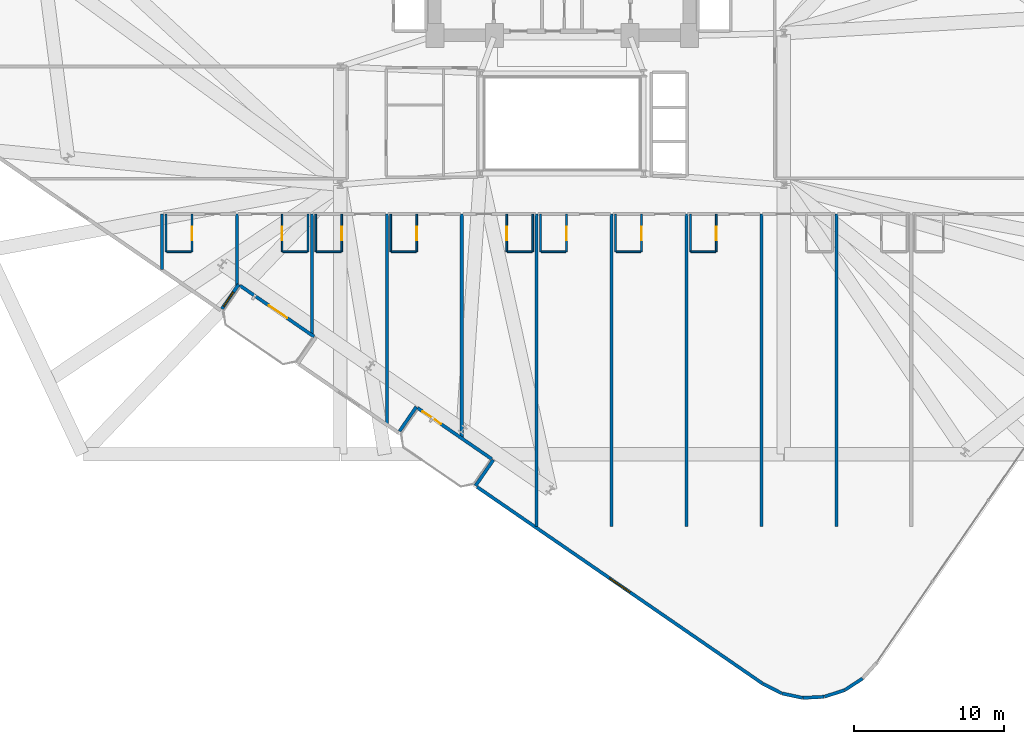
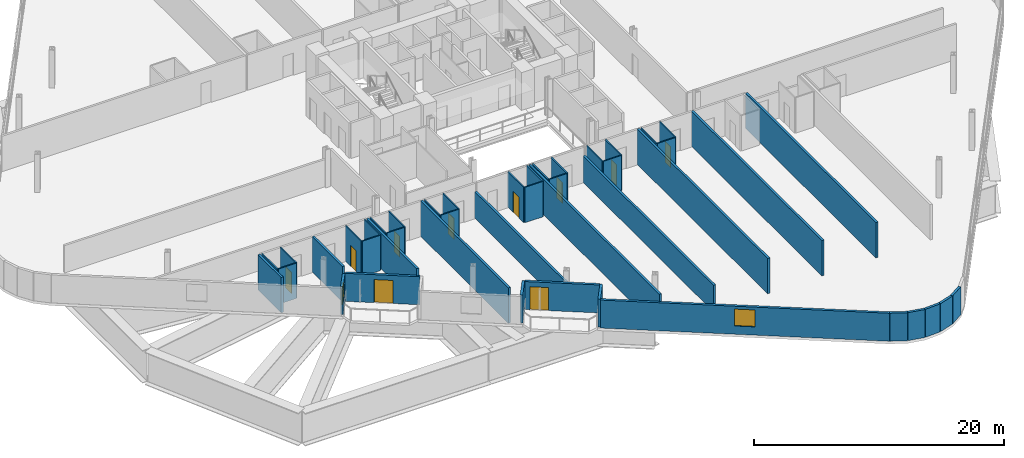
# One storey, part 18 of 26: 45 walls, 10 doors, 2 windows, 12 openings.
"""IFC4 building model written with IfcOpenShell, lengths in metres."""

from ifc_helpers import new_model, si_unit, direction, frame, frame_2d, origin, place, context, subcontext, project, spatial, rectangle, extrude, material, layer, layer_set, type_object, element, fill, save


model = new_model("IFC4")

# Units and contexts
model_context = context("Model", 3, precision=1e-05, world=origin(), true_north=direction((0.0, 1.0)))
body_context = subcontext(model_context, "Body", "Model", "MODEL_VIEW")
ifc_project = project(units=[si_unit("LENGTHUNIT", "METRE"), si_unit("AREAUNIT", "SQUARE_METRE"), si_unit("VOLUMEUNIT", "CUBIC_METRE"), si_unit("PLANEANGLEUNIT", "RADIAN"), si_unit("MASSUNIT", "GRAM", prefix="KILO")], contexts=[model_context])

# Site, building, storey
site_placement = place(None, origin())
site = spatial("IfcSite", under=ifc_project, at=site_placement, CompositionType="ELEMENT")
building_placement = place(site_placement, origin())
building = spatial("IfcBuilding", under=site, at=building_placement, Name="Varnelok Gate Tower", CompositionType="ELEMENT")
storey_placement = place(building_placement, frame((0.0, 0.0, 27.0)))
storey = spatial("IfcBuildingStorey", under=building, at=storey_placement, Name="L05", CompositionType="ELEMENT", Elevation=27.0)

# Wall, opening, door
ifc_material_1 = material(Name="Concrete C45/55", Category="concrete")
ifc_layer_1 = layer(ifc_material_1, 0.219970703125)
ifc_layer_set_1 = layer_set([ifc_layer_1], Name="Concrete C45/55")
wall_type_1 = type_object("IfcWallType", Name="EW-BALC-220", PredefinedType="SOLIDWALL", material=ifc_layer_set_1)
wall_1_placement = place(storey_placement, frame((22.642822265625, 8.667236328125, 0.0), z_axis=(0.0, 0.0, 1.0), x_axis=(-0.823534636215, 0.567265989598, 0.0)))
wall_1 = element("IfcWall", 1, at=wall_1_placement, inside=storey, type_object=wall_type_1, Name="L05 South Terrace Envelope Wall 1", PredefinedType="SOLIDWALL", context=body_context, shape_type="SweptSolid", body=[
    extrude(rectangle(XDim=6.0, YDim=0.219970703125, at=frame_2d((3.0, 0.0))), origin(), (0.0, 0.0, 1.0), 2.72998046875),
])
opening_1_placement = place(wall_1_placement, frame((2.176025390625, 0.0, 0.0)))
opening_1 = element("IfcOpeningElement", 2, at=opening_1_placement, cuts=wall_1, Name="Opening BD-1", PredefinedType="OPENING", context=body_context, shape_type="SweptSolid", body=[
    extrude(rectangle(XDim=1.5, YDim=2.25, at=frame_2d((0.75, 1.125))), frame((0.0, 0.119873046875, 0.0), z_axis=(0.0, -1.0, 0.0), x_axis=(1.0, 0.0, 0.0)), (0.0, 0.0, 1.0), 0.239990234375),
])
ifc_material_2 = material(Name="Anodized Aluminum Alloy 6063-T6", Category="aluminium")
door_type_1 = type_object("IfcDoorType", Name="DR-EXT-BALC1500", OperationType="NOTDEFINED", PredefinedType="DOOR", material=ifc_material_2)
door_1_placement = place(opening_1_placement, origin())
door_1 = element("IfcDoor", 3, at=door_1_placement, inside=storey, type_object=door_type_1, Name="L05 South Balcony Glazed Door 1", OperationType="SINGLE_SWING_RIGHT", OverallHeight=2.25, OverallWidth=1.5, PredefinedType="DOOR", context=body_context, shape_type="SweptSolid", body=[
    extrude(rectangle(XDim=1.5, YDim=2.25, at=frame_2d((0.75, 1.125))), frame((0.0, 0.02490234375, 0.0), z_axis=(0.0, -1.0, 0.0), x_axis=(1.0, 0.0, 0.0)), (0.0, 0.0, 1.0), 0.050048828125),
])
fill(opening_1, door_1)

wall_2_placement = place(storey_placement, frame((34.501708984375, 0.49853515625, 0.0), z_axis=(0.0, 0.0, 1.0), x_axis=(-0.823534636215, 0.567265989598, 0.0)))
wall_2 = element("IfcWall", 4, at=wall_2_placement, inside=storey, type_object=wall_type_1, Name="L05 South Terrace Envelope Wall 2", PredefinedType="SOLIDWALL", context=body_context, shape_type="SweptSolid", body=[
    extrude(rectangle(XDim=6.0, YDim=0.219970703125, at=frame_2d((3.0, 0.0))), origin(), (0.0, 0.0, 1.0), 2.72998046875),
])
opening_2_placement = place(wall_2_placement, frame((4.10009765625, 0.0, 0.0)))
opening_2 = element("IfcOpeningElement", 5, at=opening_2_placement, cuts=wall_2, Name="Opening BD-1", PredefinedType="OPENING", context=body_context, shape_type="SweptSolid", body=[
    extrude(rectangle(XDim=1.5, YDim=2.25, at=frame_2d((0.75, 1.125))), frame((0.0, 0.119873046875, 0.0), z_axis=(0.0, -1.0, 0.0), x_axis=(1.0, 0.0, 0.0)), (0.0, 0.0, 1.0), 0.239990234375),
])
door_2_placement = place(opening_2_placement, origin())
door_2 = element("IfcDoor", 6, at=door_2_placement, inside=storey, type_object=door_type_1, Name="L05 South Balcony Glazed Door 2", OperationType="SINGLE_SWING_LEFT", OverallHeight=2.25, OverallWidth=1.5, PredefinedType="DOOR", context=body_context, shape_type="SweptSolid", body=[
    extrude(rectangle(XDim=1.5, YDim=2.25, at=frame_2d((0.75, 1.125))), frame((0.0, 0.02490234375, 0.0), z_axis=(0.0, -1.0, 0.0), x_axis=(1.0, 0.0, 0.0)), (0.0, 0.0, 1.0), 0.050048828125),
])
fill(opening_2, door_2)

# Wall, opening, window
wall_3_placement = place(storey_placement, frame((16.48828125, 10.5205078125, 0.0), z_axis=(0.0, 0.0, 1.0), x_axis=(0.567131976434, 0.823626930902, 0.0)))
wall_3 = element("IfcWall", 7, at=wall_3_placement, inside=storey, type_object=wall_type_1, Name="L05 Perimeter Facade Closure Wall 8", PredefinedType="SOLIDWALL", context=body_context, shape_type="SweptSolid", body=[
    extrude(rectangle(XDim=1.97509765625, YDim=0.219970703125, at=frame_2d((0.987548828125, 0.0))), origin(), (0.0, 0.0, 1.0), 2.72998046875),
])
opening_3_placement = place(wall_3_placement, frame((0.199951171875, 0.0, 0.800048828125)))
opening_3 = element("IfcOpeningElement", 8, at=opening_3_placement, cuts=wall_3, Name="Opening WN8", PredefinedType="OPENING", context=body_context, shape_type="SweptSolid", body=[
    extrude(rectangle(XDim=1.14990234375, YDim=1.39990234375, at=frame_2d((0.574951171875, 0.699951171875))), frame((0.0, 0.119873046875, 0.0), z_axis=(0.0, -1.0, 0.0), x_axis=(1.0, 0.0, 0.0)), (0.0, 0.0, 1.0), 0.239990234375),
])
ifc_material_3 = material(Name="Low-E Laminated Double Glazing IGU", Category="glass")
window_type_1 = type_object("IfcWindowType", Name="WN-BED-1150", PartitioningType="SINGLE_PANEL", PredefinedType="WINDOW", material=ifc_material_3)
window_1_placement = place(opening_3_placement, origin())
window_1 = element("IfcWindow", 9, at=window_1_placement, inside=storey, type_object=window_type_1, Name="L05 Bedroom Vision Window 1", OverallHeight=1.39990234375, OverallWidth=1.14990234375, PartitioningType="SINGLE_PANEL", PredefinedType="WINDOW", context=body_context, shape_type="SweptSolid", body=[
    extrude(rectangle(XDim=1.14990234375, YDim=1.39990234375, at=frame_2d((0.574951171875, 0.699951171875))), frame((0.0, 0.030029296875, 0.0), z_axis=(0.0, -1.0, 0.0), x_axis=(1.0, 0.0, 0.0)), (0.0, 0.0, 1.0), 0.06005859375),
])
fill(opening_3, window_1)

# Walls
wall_4_placement = place(storey_placement, frame((28.34716796875, 2.351806640625, 0.0), z_axis=(0.0, 0.0, 1.0), x_axis=(0.567215821234, 0.823569190865, 0.0)))
element("IfcWall", 10, at=wall_4_placement, inside=storey, type_object=wall_type_1, Name="L05 Perimeter Facade Closure Wall 11", PredefinedType="SOLIDWALL", context=body_context, shape_type="SweptSolid", body=[
    extrude(rectangle(XDim=1.97509765625, YDim=0.219970703125, at=frame_2d((0.987548828125, 0.0))), origin(), (0.0, 0.0, 1.0), 2.72998046875),
])
wall_5_placement = place(storey_placement, frame((34.606201171875, 0.438720703125, 0.0), z_axis=(0.0, 0.0, 1.0), x_axis=(-0.567219383419, -0.823566737474, 0.0)))
element("IfcWall", 11, at=wall_5_placement, inside=storey, type_object=wall_type_1, Name="L05 Perimeter Facade Closure Wall 12", PredefinedType="SOLIDWALL", context=body_context, shape_type="SweptSolid", body=[
    extrude(rectangle(XDim=2.10009765625, YDim=0.219970703125, at=frame_2d((1.050048828125, 0.0))), origin(), (0.0, 0.0, 1.0), 2.72998046875),
])

# Wall, opening, window
wall_6_placement = place(storey_placement, frame((33.517822265625, -1.36181640625, 0.0), z_axis=(0.0, 0.0, 1.0), x_axis=(0.82353935489, -0.567259139148, 0.0)))
wall_6 = element("IfcWall", 12, at=wall_6_placement, inside=storey, type_object=wall_type_1, Name="L05 Perimeter Facade Closure Wall 13", PredefinedType="SOLIDWALL", context=body_context, shape_type="SweptSolid", body=[
    extrude(rectangle(XDim=23.14697265625, YDim=0.219970703125, at=frame_2d((11.573486328125, 0.0))), origin(), (0.0, 0.0, 1.0), 2.72998046875),
])
opening_4_placement = place(wall_6_placement, frame((10.74853515625, 0.0, 0.800048828125)))
opening_4 = element("IfcOpeningElement", 13, at=opening_4_placement, cuts=wall_6, Name="Opening WN3", PredefinedType="OPENING", context=body_context, shape_type="SweptSolid", body=[
    extrude(rectangle(XDim=1.64990234375, YDim=1.64990234375, at=frame_2d((0.824951171875, 0.824951171875))), frame((0.0, 0.119873046875, 0.0), z_axis=(0.0, -1.0, 0.0), x_axis=(1.0, 0.0, 0.0)), (0.0, 0.0, 1.0), 0.239990234375),
])
window_type_2 = type_object("IfcWindowType", Name="WN-HTL-1650", PartitioningType="SINGLE_PANEL", PredefinedType="WINDOW", material=ifc_material_3)
window_2_placement = place(opening_4_placement, origin())
window_2 = element("IfcWindow", 14, at=window_2_placement, inside=storey, type_object=window_type_2, Name="L05 Perimeter Vision Window 13", OverallHeight=1.64990234375, OverallWidth=1.64990234375, PartitioningType="SINGLE_PANEL", PredefinedType="WINDOW", context=body_context, shape_type="SweptSolid", body=[
    extrude(rectangle(XDim=1.64990234375, YDim=1.64990234375, at=frame_2d((0.824951171875, 0.824951171875))), frame((0.0, 0.030029296875, 0.0), z_axis=(0.0, -1.0, 0.0), x_axis=(1.0, 0.0, 0.0)), (0.0, 0.0, 1.0), 0.06005859375),
])
fill(opening_4, window_2)

# Walls
wall_7_placement = place(storey_placement, frame((52.602783203125, -14.503662109375, 0.0), z_axis=(0.0, 0.0, 1.0), x_axis=(0.89052335693, -0.45493752402, 0.0)))
element("IfcWall", 15, at=wall_7_placement, inside=storey, type_object=wall_type_1, Name="L05 Perimeter Facade Closure Wall 14", PredefinedType="SOLIDWALL", context=body_context, shape_type="SweptSolid", body=[
    extrude(rectangle(XDim=1.4130859375, YDim=0.219970703125, at=frame_2d((0.70654296875, 0.0))), origin(), (0.0, 0.0, 1.0), 2.72998046875),
])
for number, where, z_axis, x_axis, name in (
    (16, (53.8857421875, -15.15185546875, 0.0), (0.0, 0.0, 1.0), (0.977952168511, -0.208829011645, 0.0), "L05 Perimeter Facade Closure Wall 15"),
    (17, (55.284912109375, -15.444091796875, 0.0), (0.0, 0.0, 1.0), (0.998685611917, 0.051254741739, 0.0), "L05 Perimeter Facade Closure Wall 16"),
    (18, (56.712158203125, -15.364501953125, 0.0), (0.0, 0.0, 1.0), (0.95132472924, 0.308190297603, 0.0), "L05 Perimeter Facade Closure Wall 17"),
    (19, (58.070068359375, -14.91796875, 0.0), (0.0, 0.0, 1.0), (0.839248413468, 0.543748195851, 0.0), "L05 Perimeter Facade Closure Wall 18"),
):
    element("IfcWall", number, at=place(storey_placement, frame(where, z_axis=z_axis, x_axis=x_axis)), inside=storey, type_object=wall_type_1, Name=name, PredefinedType="SOLIDWALL", context=body_context, shape_type="SweptSolid", body=[
        extrude(rectangle(XDim=1.4052734375, YDim=0.219970703125, at=frame_2d((0.70263671875, 0.0))), origin(), (0.0, 0.0, 1.0), 2.72998046875),
    ])
ifc_material_4 = material(Name="Gypsum Plasterboard Acoustic Partition", Category="gypsum")
ifc_layer_2 = layer(ifc_material_4, 0.114990234375)
ifc_layer_set_2 = layer_set([ifc_layer_2], Name="Gypsum Plasterboard Acoustic Partition")
wall_type_2 = type_object("IfcWallType", Name="PW-ENS-125", PredefinedType="PARTITIONING", material=ifc_layer_set_2)
wall_8_placement = place(storey_placement, frame((12.800048828125, 14.330078125, 0.0), z_axis=(0.0, 0.0, 1.0), x_axis=(1.0, 0.0, 0.0)))
element("IfcWall", 20, at=wall_8_placement, inside=storey, type_object=wall_type_2, Name="Interior Partition", PredefinedType="PARTITIONING", context=body_context, shape_type="SweptSolid", body=[
    extrude(rectangle(XDim=1.64990234375, YDim=0.114990234375, at=frame_2d((0.824951171875, 0.0))), origin(), (0.0, 0.0, 1.0), 3.449951171875),
])

# Wall, opening, door
wall_9_placement = place(storey_placement, frame((14.489990234375, 14.330078125, 0.0), z_axis=(0.0, 0.0, 1.0), x_axis=(0.0, 1.0, 0.0)))
wall_9 = element("IfcWall", 21, at=wall_9_placement, inside=storey, type_object=wall_type_2, Name="Interior Partition", PredefinedType="PARTITIONING", context=body_context, shape_type="SweptSolid", body=[
    extrude(rectangle(XDim=2.52001953125, YDim=0.114990234375, at=frame_2d((1.260009765625, 0.0))), origin(), (0.0, 0.0, 1.0), 3.449951171875),
])
opening_5_placement = place(wall_9_placement, frame((0.760009765625, 0.0, 0.0)))
opening_5 = element("IfcOpeningElement", 22, at=opening_5_placement, cuts=wall_9, Name="Opening D-WC", PredefinedType="OPENING", context=body_context, shape_type="SweptSolid", body=[
    extrude(rectangle(XDim=0.89990234375, YDim=2.050048828125, at=frame_2d((0.449951171875, 1.02490234375))), frame((0.0, 0.0673828125, 0.0), z_axis=(0.0, -1.0, 0.0), x_axis=(1.0, 0.0, 0.0)), (0.0, 0.0, 1.0), 0.135009765625),
])
ifc_material_5 = material(Name="Engineered Hardwood Timber", Category="wood")
door_type_2 = type_object("IfcDoorType", Name="DR-BATH-900", OperationType="NOTDEFINED", PredefinedType="DOOR", material=ifc_material_5)
door_3_placement = place(opening_5_placement, origin())
door_3 = element("IfcDoor", 23, at=door_3_placement, inside=storey, type_object=door_type_2, Name="L05 Guest En-Suite 02 Door", OperationType="SINGLE_SWING_LEFT", OverallHeight=2.050048828125, OverallWidth=0.89990234375, PredefinedType="DOOR", context=body_context, shape_type="SweptSolid", body=[
    extrude(rectangle(XDim=0.89990234375, YDim=2.050048828125, at=frame_2d((0.449951171875, 1.02490234375))), frame((0.0, 0.02490234375, 0.0), z_axis=(0.0, -1.0, 0.0), x_axis=(1.0, 0.0, 0.0)), (0.0, 0.0, 1.0), 0.050048828125),
])
fill(opening_5, door_3)

# Walls
wall_10_placement = place(storey_placement, frame((12.760009765625, 14.330078125, 0.0), z_axis=(0.0, 0.0, 1.0), x_axis=(0.0, 1.0, 0.0)))
element("IfcWall", 24, at=wall_10_placement, inside=storey, type_object=wall_type_2, Name="Interior Partition", PredefinedType="PARTITIONING", context=body_context, shape_type="SweptSolid", body=[
    extrude(rectangle(XDim=2.52001953125, YDim=0.114990234375, at=frame_2d((1.260009765625, 0.0))), origin(), (0.0, 0.0, 1.0), 3.449951171875),
])
wall_11_placement = place(storey_placement, frame((20.550048828125, 14.330078125, 0.0), z_axis=(0.0, 0.0, 1.0), x_axis=(1.0, 0.0, 0.0)))
element("IfcWall", 25, at=wall_11_placement, inside=storey, type_object=wall_type_2, Name="Interior Partition", PredefinedType="PARTITIONING", context=body_context, shape_type="SweptSolid", body=[
    extrude(rectangle(XDim=1.64990234375, YDim=0.114990234375, at=frame_2d((0.824951171875, 0.0))), origin(), (0.0, 0.0, 1.0), 3.449951171875),
])

# Wall, opening, door
wall_12_placement = place(storey_placement, frame((20.510009765625, 14.330078125, 0.0), z_axis=(0.0, 0.0, 1.0), x_axis=(0.0, 1.0, 0.0)))
wall_12 = element("IfcWall", 26, at=wall_12_placement, inside=storey, type_object=wall_type_2, Name="Interior Partition", PredefinedType="PARTITIONING", context=body_context, shape_type="SweptSolid", body=[
    extrude(rectangle(XDim=2.52001953125, YDim=0.114990234375, at=frame_2d((1.260009765625, 0.0))), origin(), (0.0, 0.0, 1.0), 3.449951171875),
])
opening_6_placement = place(wall_12_placement, frame((0.760009765625, 0.0, 0.0)))
opening_6 = element("IfcOpeningElement", 27, at=opening_6_placement, cuts=wall_12, Name="Opening D-WC", PredefinedType="OPENING", context=body_context, shape_type="SweptSolid", body=[
    extrude(rectangle(XDim=0.89990234375, YDim=2.050048828125, at=frame_2d((0.449951171875, 1.02490234375))), frame((0.0, 0.0673828125, 0.0), z_axis=(0.0, -1.0, 0.0), x_axis=(1.0, 0.0, 0.0)), (0.0, 0.0, 1.0), 0.135009765625),
])
door_4_placement = place(opening_6_placement, origin())
door_4 = element("IfcDoor", 28, at=door_4_placement, inside=storey, type_object=door_type_2, Name="L05 Guest En-Suite 03 Door", OperationType="SINGLE_SWING_RIGHT", OverallHeight=2.050048828125, OverallWidth=0.89990234375, PredefinedType="DOOR", context=body_context, shape_type="SweptSolid", body=[
    extrude(rectangle(XDim=0.89990234375, YDim=2.050048828125, at=frame_2d((0.449951171875, 1.02490234375))), frame((0.0, 0.02490234375, 0.0), z_axis=(0.0, -1.0, 0.0), x_axis=(1.0, 0.0, 0.0)), (0.0, 0.0, 1.0), 0.050048828125),
])
fill(opening_6, door_4)

# Walls
wall_13_placement = place(storey_placement, frame((22.239990234375, 14.330078125, 0.0), z_axis=(0.0, 0.0, 1.0), x_axis=(0.0, 1.0, 0.0)))
element("IfcWall", 29, at=wall_13_placement, inside=storey, type_object=wall_type_2, Name="Interior Partition", PredefinedType="PARTITIONING", context=body_context, shape_type="SweptSolid", body=[
    extrude(rectangle(XDim=2.52001953125, YDim=0.114990234375, at=frame_2d((1.260009765625, 0.0))), origin(), (0.0, 0.0, 1.0), 3.449951171875),
])
wall_14_placement = place(storey_placement, frame((22.800048828125, 14.330078125, 0.0), z_axis=(0.0, 0.0, 1.0), x_axis=(1.0, 0.0, 0.0)))
element("IfcWall", 30, at=wall_14_placement, inside=storey, type_object=wall_type_2, Name="Interior Partition", PredefinedType="PARTITIONING", context=body_context, shape_type="SweptSolid", body=[
    extrude(rectangle(XDim=1.64990234375, YDim=0.114990234375, at=frame_2d((0.824951171875, 0.0))), origin(), (0.0, 0.0, 1.0), 3.449951171875),
])

# Wall, opening, door
wall_15_placement = place(storey_placement, frame((24.489990234375, 14.330078125, 0.0), z_axis=(0.0, 0.0, 1.0), x_axis=(0.0, 1.0, 0.0)))
wall_15 = element("IfcWall", 31, at=wall_15_placement, inside=storey, type_object=wall_type_2, Name="Interior Partition", PredefinedType="PARTITIONING", context=body_context, shape_type="SweptSolid", body=[
    extrude(rectangle(XDim=2.52001953125, YDim=0.114990234375, at=frame_2d((1.260009765625, 0.0))), origin(), (0.0, 0.0, 1.0), 3.449951171875),
])
opening_7_placement = place(wall_15_placement, frame((0.760009765625, 0.0, 0.0)))
opening_7 = element("IfcOpeningElement", 32, at=opening_7_placement, cuts=wall_15, Name="Opening D-WC", PredefinedType="OPENING", context=body_context, shape_type="SweptSolid", body=[
    extrude(rectangle(XDim=0.89990234375, YDim=2.050048828125, at=frame_2d((0.449951171875, 1.02490234375))), frame((0.0, 0.0673828125, 0.0), z_axis=(0.0, -1.0, 0.0), x_axis=(1.0, 0.0, 0.0)), (0.0, 0.0, 1.0), 0.135009765625),
])
door_5_placement = place(opening_7_placement, origin())
door_5 = element("IfcDoor", 33, at=door_5_placement, inside=storey, type_object=door_type_2, Name="L05 Guest En-Suite 04 Door", OperationType="SINGLE_SWING_LEFT", OverallHeight=2.050048828125, OverallWidth=0.89990234375, PredefinedType="DOOR", context=body_context, shape_type="SweptSolid", body=[
    extrude(rectangle(XDim=0.89990234375, YDim=2.050048828125, at=frame_2d((0.449951171875, 1.02490234375))), frame((0.0, 0.02490234375, 0.0), z_axis=(0.0, -1.0, 0.0), x_axis=(1.0, 0.0, 0.0)), (0.0, 0.0, 1.0), 0.050048828125),
])
fill(opening_7, door_5)

# Walls
wall_16_placement = place(storey_placement, frame((22.760009765625, 14.330078125, 0.0), z_axis=(0.0, 0.0, 1.0), x_axis=(0.0, 1.0, 0.0)))
element("IfcWall", 34, at=wall_16_placement, inside=storey, type_object=wall_type_2, Name="Interior Partition", PredefinedType="PARTITIONING", context=body_context, shape_type="SweptSolid", body=[
    extrude(rectangle(XDim=2.52001953125, YDim=0.114990234375, at=frame_2d((1.260009765625, 0.0))), origin(), (0.0, 0.0, 1.0), 3.449951171875),
])
wall_17_placement = place(storey_placement, frame((27.800048828125, 14.330078125, 0.0), z_axis=(0.0, 0.0, 1.0), x_axis=(1.0, 0.0, 0.0)))
element("IfcWall", 35, at=wall_17_placement, inside=storey, type_object=wall_type_2, Name="Interior Partition", PredefinedType="PARTITIONING", context=body_context, shape_type="SweptSolid", body=[
    extrude(rectangle(XDim=1.64990234375, YDim=0.114990234375, at=frame_2d((0.824951171875, 0.0))), origin(), (0.0, 0.0, 1.0), 3.449951171875),
])

# Wall, opening, door
wall_18_placement = place(storey_placement, frame((29.489990234375, 14.330078125, 0.0), z_axis=(0.0, 0.0, 1.0), x_axis=(0.0, 1.0, 0.0)))
wall_18 = element("IfcWall", 36, at=wall_18_placement, inside=storey, type_object=wall_type_2, Name="Interior Partition", PredefinedType="PARTITIONING", context=body_context, shape_type="SweptSolid", body=[
    extrude(rectangle(XDim=2.52001953125, YDim=0.114990234375, at=frame_2d((1.260009765625, 0.0))), origin(), (0.0, 0.0, 1.0), 3.449951171875),
])
opening_8_placement = place(wall_18_placement, frame((0.760009765625, 0.0, 0.0)))
opening_8 = element("IfcOpeningElement", 37, at=opening_8_placement, cuts=wall_18, Name="Opening D-WC", PredefinedType="OPENING", context=body_context, shape_type="SweptSolid", body=[
    extrude(rectangle(XDim=0.89990234375, YDim=2.050048828125, at=frame_2d((0.449951171875, 1.02490234375))), frame((0.0, 0.0673828125, 0.0), z_axis=(0.0, -1.0, 0.0), x_axis=(1.0, 0.0, 0.0)), (0.0, 0.0, 1.0), 0.135009765625),
])
door_6_placement = place(opening_8_placement, origin())
door_6 = element("IfcDoor", 38, at=door_6_placement, inside=storey, type_object=door_type_2, Name="L05 Guest En-Suite 05 Door", OperationType="SINGLE_SWING_LEFT", OverallHeight=2.050048828125, OverallWidth=0.89990234375, PredefinedType="DOOR", context=body_context, shape_type="SweptSolid", body=[
    extrude(rectangle(XDim=0.89990234375, YDim=2.050048828125, at=frame_2d((0.449951171875, 1.02490234375))), frame((0.0, 0.02490234375, 0.0), z_axis=(0.0, -1.0, 0.0), x_axis=(1.0, 0.0, 0.0)), (0.0, 0.0, 1.0), 0.050048828125),
])
fill(opening_8, door_6)

# Walls
wall_19_placement = place(storey_placement, frame((27.760009765625, 14.330078125, 0.0), z_axis=(0.0, 0.0, 1.0), x_axis=(0.0, 1.0, 0.0)))
element("IfcWall", 39, at=wall_19_placement, inside=storey, type_object=wall_type_2, Name="Interior Partition", PredefinedType="PARTITIONING", context=body_context, shape_type="SweptSolid", body=[
    extrude(rectangle(XDim=2.52001953125, YDim=0.114990234375, at=frame_2d((1.260009765625, 0.0))), origin(), (0.0, 0.0, 1.0), 3.449951171875),
])
wall_20_placement = place(storey_placement, frame((35.550048828125, 14.330078125, 0.0), z_axis=(0.0, 0.0, 1.0), x_axis=(1.0, 0.0, 0.0)))
element("IfcWall", 40, at=wall_20_placement, inside=storey, type_object=wall_type_2, Name="Interior Partition", PredefinedType="PARTITIONING", context=body_context, shape_type="SweptSolid", body=[
    extrude(rectangle(XDim=1.64990234375, YDim=0.114990234375, at=frame_2d((0.824951171875, 0.0))), origin(), (0.0, 0.0, 1.0), 3.449951171875),
])

# Wall, opening, door
wall_21_placement = place(storey_placement, frame((35.510009765625, 14.330078125, 0.0), z_axis=(0.0, 0.0, 1.0), x_axis=(0.0, 1.0, 0.0)))
wall_21 = element("IfcWall", 41, at=wall_21_placement, inside=storey, type_object=wall_type_2, Name="Interior Partition", PredefinedType="PARTITIONING", context=body_context, shape_type="SweptSolid", body=[
    extrude(rectangle(XDim=2.52001953125, YDim=0.114990234375, at=frame_2d((1.260009765625, 0.0))), origin(), (0.0, 0.0, 1.0), 3.449951171875),
])
opening_9_placement = place(wall_21_placement, frame((0.760009765625, 0.0, 0.0)))
opening_9 = element("IfcOpeningElement", 42, at=opening_9_placement, cuts=wall_21, Name="Opening D-WC", PredefinedType="OPENING", context=body_context, shape_type="SweptSolid", body=[
    extrude(rectangle(XDim=0.89990234375, YDim=2.050048828125, at=frame_2d((0.449951171875, 1.02490234375))), frame((0.0, 0.0673828125, 0.0), z_axis=(0.0, -1.0, 0.0), x_axis=(1.0, 0.0, 0.0)), (0.0, 0.0, 1.0), 0.135009765625),
])
door_7_placement = place(opening_9_placement, origin())
door_7 = element("IfcDoor", 43, at=door_7_placement, inside=storey, type_object=door_type_2, Name="L05 Guest En-Suite 06 Door", OperationType="SINGLE_SWING_RIGHT", OverallHeight=2.050048828125, OverallWidth=0.89990234375, PredefinedType="DOOR", context=body_context, shape_type="SweptSolid", body=[
    extrude(rectangle(XDim=0.89990234375, YDim=2.050048828125, at=frame_2d((0.449951171875, 1.02490234375))), frame((0.0, 0.02490234375, 0.0), z_axis=(0.0, -1.0, 0.0), x_axis=(1.0, 0.0, 0.0)), (0.0, 0.0, 1.0), 0.050048828125),
])
fill(opening_9, door_7)

# Walls
wall_22_placement = place(storey_placement, frame((37.239990234375, 14.330078125, 0.0), z_axis=(0.0, 0.0, 1.0), x_axis=(0.0, 1.0, 0.0)))
element("IfcWall", 44, at=wall_22_placement, inside=storey, type_object=wall_type_2, Name="Interior Partition", PredefinedType="PARTITIONING", context=body_context, shape_type="SweptSolid", body=[
    extrude(rectangle(XDim=2.52001953125, YDim=0.114990234375, at=frame_2d((1.260009765625, 0.0))), origin(), (0.0, 0.0, 1.0), 3.449951171875),
])
wall_23_placement = place(storey_placement, frame((37.800048828125, 14.330078125, 0.0), z_axis=(0.0, 0.0, 1.0), x_axis=(1.0, 0.0, 0.0)))
element("IfcWall", 45, at=wall_23_placement, inside=storey, type_object=wall_type_2, Name="Interior Partition", PredefinedType="PARTITIONING", context=body_context, shape_type="SweptSolid", body=[
    extrude(rectangle(XDim=1.64990234375, YDim=0.114990234375, at=frame_2d((0.824951171875, 0.0))), origin(), (0.0, 0.0, 1.0), 3.449951171875),
])

# Wall, opening, door
wall_24_placement = place(storey_placement, frame((39.489990234375, 14.330078125, 0.0), z_axis=(0.0, 0.0, 1.0), x_axis=(0.0, 1.0, 0.0)))
wall_24 = element("IfcWall", 46, at=wall_24_placement, inside=storey, type_object=wall_type_2, Name="Interior Partition", PredefinedType="PARTITIONING", context=body_context, shape_type="SweptSolid", body=[
    extrude(rectangle(XDim=2.52001953125, YDim=0.114990234375, at=frame_2d((1.260009765625, 0.0))), origin(), (0.0, 0.0, 1.0), 3.449951171875),
])
opening_10_placement = place(wall_24_placement, frame((0.760009765625, 0.0, 0.0)))
opening_10 = element("IfcOpeningElement", 47, at=opening_10_placement, cuts=wall_24, Name="Opening D-WC", PredefinedType="OPENING", context=body_context, shape_type="SweptSolid", body=[
    extrude(rectangle(XDim=0.89990234375, YDim=2.050048828125, at=frame_2d((0.449951171875, 1.02490234375))), frame((0.0, 0.0673828125, 0.0), z_axis=(0.0, -1.0, 0.0), x_axis=(1.0, 0.0, 0.0)), (0.0, 0.0, 1.0), 0.135009765625),
])
door_8_placement = place(opening_10_placement, origin())
door_8 = element("IfcDoor", 48, at=door_8_placement, inside=storey, type_object=door_type_2, Name="L05 Guest En-Suite 07 Door", OperationType="SINGLE_SWING_LEFT", OverallHeight=2.050048828125, OverallWidth=0.89990234375, PredefinedType="DOOR", context=body_context, shape_type="SweptSolid", body=[
    extrude(rectangle(XDim=0.89990234375, YDim=2.050048828125, at=frame_2d((0.449951171875, 1.02490234375))), frame((0.0, 0.02490234375, 0.0), z_axis=(0.0, -1.0, 0.0), x_axis=(1.0, 0.0, 0.0)), (0.0, 0.0, 1.0), 0.050048828125),
])
fill(opening_10, door_8)

# Walls
wall_25_placement = place(storey_placement, frame((37.760009765625, 14.330078125, 0.0), z_axis=(0.0, 0.0, 1.0), x_axis=(0.0, 1.0, 0.0)))
element("IfcWall", 49, at=wall_25_placement, inside=storey, type_object=wall_type_2, Name="Interior Partition", PredefinedType="PARTITIONING", context=body_context, shape_type="SweptSolid", body=[
    extrude(rectangle(XDim=2.52001953125, YDim=0.114990234375, at=frame_2d((1.260009765625, 0.0))), origin(), (0.0, 0.0, 1.0), 3.449951171875),
])
wall_26_placement = place(storey_placement, frame((42.800048828125, 14.330078125, 0.0), z_axis=(0.0, 0.0, 1.0), x_axis=(1.0, 0.0, 0.0)))
element("IfcWall", 50, at=wall_26_placement, inside=storey, type_object=wall_type_2, Name="Interior Partition", PredefinedType="PARTITIONING", context=body_context, shape_type="SweptSolid", body=[
    extrude(rectangle(XDim=1.64990234375, YDim=0.114990234375, at=frame_2d((0.824951171875, 0.0))), origin(), (0.0, 0.0, 1.0), 3.449951171875),
])

# Wall, opening, door
wall_27_placement = place(storey_placement, frame((44.489990234375, 14.330078125, 0.0), z_axis=(0.0, 0.0, 1.0), x_axis=(0.0, 1.0, 0.0)))
wall_27 = element("IfcWall", 51, at=wall_27_placement, inside=storey, type_object=wall_type_2, Name="Interior Partition", PredefinedType="PARTITIONING", context=body_context, shape_type="SweptSolid", body=[
    extrude(rectangle(XDim=2.52001953125, YDim=0.114990234375, at=frame_2d((1.260009765625, 0.0))), origin(), (0.0, 0.0, 1.0), 3.449951171875),
])
opening_11_placement = place(wall_27_placement, frame((0.760009765625, 0.0, 0.0)))
opening_11 = element("IfcOpeningElement", 52, at=opening_11_placement, cuts=wall_27, Name="Opening D-WC", PredefinedType="OPENING", context=body_context, shape_type="SweptSolid", body=[
    extrude(rectangle(XDim=0.89990234375, YDim=2.050048828125, at=frame_2d((0.449951171875, 1.02490234375))), frame((0.0, 0.0673828125, 0.0), z_axis=(0.0, -1.0, 0.0), x_axis=(1.0, 0.0, 0.0)), (0.0, 0.0, 1.0), 0.135009765625),
])
door_9_placement = place(opening_11_placement, origin())
door_9 = element("IfcDoor", 53, at=door_9_placement, inside=storey, type_object=door_type_2, Name="L05 Guest En-Suite 08 Door", OperationType="SINGLE_SWING_LEFT", OverallHeight=2.050048828125, OverallWidth=0.89990234375, PredefinedType="DOOR", context=body_context, shape_type="SweptSolid", body=[
    extrude(rectangle(XDim=0.89990234375, YDim=2.050048828125, at=frame_2d((0.449951171875, 1.02490234375))), frame((0.0, 0.02490234375, 0.0), z_axis=(0.0, -1.0, 0.0), x_axis=(1.0, 0.0, 0.0)), (0.0, 0.0, 1.0), 0.050048828125),
])
fill(opening_11, door_9)

# Walls
wall_28_placement = place(storey_placement, frame((42.760009765625, 14.330078125, 0.0), z_axis=(0.0, 0.0, 1.0), x_axis=(0.0, 1.0, 0.0)))
element("IfcWall", 54, at=wall_28_placement, inside=storey, type_object=wall_type_2, Name="Interior Partition", PredefinedType="PARTITIONING", context=body_context, shape_type="SweptSolid", body=[
    extrude(rectangle(XDim=2.52001953125, YDim=0.114990234375, at=frame_2d((1.260009765625, 0.0))), origin(), (0.0, 0.0, 1.0), 3.449951171875),
])
wall_29_placement = place(storey_placement, frame((47.800048828125, 14.330078125, 0.0), z_axis=(0.0, 0.0, 1.0), x_axis=(1.0, 0.0, 0.0)))
element("IfcWall", 55, at=wall_29_placement, inside=storey, type_object=wall_type_2, Name="Interior Partition", PredefinedType="PARTITIONING", context=body_context, shape_type="SweptSolid", body=[
    extrude(rectangle(XDim=1.64990234375, YDim=0.114990234375, at=frame_2d((0.824951171875, 0.0))), origin(), (0.0, 0.0, 1.0), 3.449951171875),
])

# Wall, opening, door
wall_30_placement = place(storey_placement, frame((49.489990234375, 14.330078125, 0.0), z_axis=(0.0, 0.0, 1.0), x_axis=(0.0, 1.0, 0.0)))
wall_30 = element("IfcWall", 56, at=wall_30_placement, inside=storey, type_object=wall_type_2, Name="Interior Partition", PredefinedType="PARTITIONING", context=body_context, shape_type="SweptSolid", body=[
    extrude(rectangle(XDim=2.52001953125, YDim=0.114990234375, at=frame_2d((1.260009765625, 0.0))), origin(), (0.0, 0.0, 1.0), 3.449951171875),
])
opening_12_placement = place(wall_30_placement, frame((0.760009765625, 0.0, 0.0)))
opening_12 = element("IfcOpeningElement", 57, at=opening_12_placement, cuts=wall_30, Name="Opening D-WC", PredefinedType="OPENING", context=body_context, shape_type="SweptSolid", body=[
    extrude(rectangle(XDim=0.89990234375, YDim=2.050048828125, at=frame_2d((0.449951171875, 1.02490234375))), frame((0.0, 0.0673828125, 0.0), z_axis=(0.0, -1.0, 0.0), x_axis=(1.0, 0.0, 0.0)), (0.0, 0.0, 1.0), 0.135009765625),
])
door_10_placement = place(opening_12_placement, origin())
door_10 = element("IfcDoor", 58, at=door_10_placement, inside=storey, type_object=door_type_2, Name="L05 Guest En-Suite 09 Door", OperationType="SINGLE_SWING_LEFT", OverallHeight=2.050048828125, OverallWidth=0.89990234375, PredefinedType="DOOR", context=body_context, shape_type="SweptSolid", body=[
    extrude(rectangle(XDim=0.89990234375, YDim=2.050048828125, at=frame_2d((0.449951171875, 1.02490234375))), frame((0.0, 0.02490234375, 0.0), z_axis=(0.0, -1.0, 0.0), x_axis=(1.0, 0.0, 0.0)), (0.0, 0.0, 1.0), 0.050048828125),
])
fill(opening_12, door_10)

# Walls
wall_31_placement = place(storey_placement, frame((47.760009765625, 14.330078125, 0.0), z_axis=(0.0, 0.0, 1.0), x_axis=(0.0, 1.0, 0.0)))
element("IfcWall", 59, at=wall_31_placement, inside=storey, type_object=wall_type_2, Name="Interior Partition", PredefinedType="PARTITIONING", context=body_context, shape_type="SweptSolid", body=[
    extrude(rectangle(XDim=2.52001953125, YDim=0.114990234375, at=frame_2d((1.260009765625, 0.0))), origin(), (0.0, 0.0, 1.0), 3.449951171875),
])
ifc_layer_3 = layer(ifc_material_4, 0.205078125)
ifc_layer_set_3 = layer_set([ifc_layer_3], Name="Gypsum Plasterboard Acoustic Partition")
wall_type_3 = type_object("IfcWallType", Name="PW-PARTY-200", PredefinedType="PARTITIONING", material=ifc_layer_set_3)
wall_32_placement = place(storey_placement, frame((12.5, 13.140380859375, 0.0), z_axis=(0.0, 0.0, 1.0), x_axis=(0.0, 1.0, 0.0)))
element("IfcWall", 60, at=wall_32_placement, inside=storey, type_object=wall_type_3, Name="L05 South Party Wall 1", PredefinedType="PARTITIONING", context=body_context, shape_type="SweptSolid", body=[
    extrude(rectangle(XDim=3.709716796875, YDim=0.205078125, at=frame_2d((1.85498046875, 0.0))), origin(), (0.0, 0.0, 1.0), 3.449951171875),
])
wall_33_placement = place(storey_placement, frame((17.5, 12.02490234375, 0.0), z_axis=(0.0, 0.0, 1.0), x_axis=(0.0, 1.0, 0.0)))
element("IfcWall", 61, at=wall_33_placement, inside=storey, type_object=wall_type_3, Name="L05 South Party Wall 2", PredefinedType="PARTITIONING", context=body_context, shape_type="SweptSolid", body=[
    extrude(rectangle(XDim=4.8251953125, YDim=0.205078125, at=frame_2d((2.41259765625, 0.0))), origin(), (0.0, 0.0, 1.0), 3.449951171875),
])
wall_34_placement = place(storey_placement, frame((22.5, 8.802001953125, 0.0), z_axis=(0.0, 0.0, 1.0), x_axis=(0.0, 1.0, 0.0)))
element("IfcWall", 62, at=wall_34_placement, inside=storey, type_object=wall_type_3, Name="L05 South Party Wall 3", PredefinedType="PARTITIONING", context=body_context, shape_type="SweptSolid", body=[
    extrude(rectangle(XDim=8.048095703125, YDim=0.205078125, at=frame_2d((4.02392578125, 0.0))), origin(), (0.0, 0.0, 1.0), 3.449951171875),
])
wall_35_placement = place(storey_placement, frame((27.5, 2.807861328125, 0.0), z_axis=(0.0, 0.0, 1.0), x_axis=(0.0, 1.0, 0.0)))
element("IfcWall", 63, at=wall_35_placement, inside=storey, type_object=wall_type_3, Name="L05 South Party Wall 4", PredefinedType="PARTITIONING", context=body_context, shape_type="SweptSolid", body=[
    extrude(rectangle(XDim=14.042236328125, YDim=0.205078125, at=frame_2d((7.02099609375, 0.0))), origin(), (0.0, 0.0, 1.0), 3.449951171875),
])
wall_36_placement = place(storey_placement, frame((32.5, 1.913818359375, 0.0), z_axis=(0.0, 0.0, 1.0), x_axis=(0.0, 1.0, 0.0)))
element("IfcWall", 64, at=wall_36_placement, inside=storey, type_object=wall_type_3, Name="L05 South Party Wall 5", PredefinedType="PARTITIONING", context=body_context, shape_type="SweptSolid", body=[
    extrude(rectangle(XDim=14.936279296875, YDim=0.205078125, at=frame_2d((7.46826171875, 0.0))), origin(), (0.0, 0.0, 1.0), 2.580078125),
])
wall_37_placement = place(storey_placement, frame((37.5, -4.0, 0.0), z_axis=(0.0, 0.0, 1.0), x_axis=(0.0, 1.0, 0.0)))
element("IfcWall", 65, at=wall_37_placement, inside=storey, type_object=wall_type_3, Name="L05 South Party Wall 6", PredefinedType="PARTITIONING", context=body_context, shape_type="SweptSolid", body=[
    extrude(rectangle(XDim=20.85009765625, YDim=0.205078125, at=frame_2d((10.425048828125, 0.0))), origin(), (0.0, 0.0, 1.0), 3.449951171875),
])
wall_38_placement = place(storey_placement, frame((42.5, -4.0, 0.0), z_axis=(0.0, 0.0, 1.0), x_axis=(0.0, 1.0, 0.0)))
element("IfcWall", 66, at=wall_38_placement, inside=storey, type_object=wall_type_3, Name="L05 South Party Wall 7", PredefinedType="PARTITIONING", context=body_context, shape_type="SweptSolid", body=[
    extrude(rectangle(XDim=20.85009765625, YDim=0.205078125, at=frame_2d((10.425048828125, 0.0))), origin(), (0.0, 0.0, 1.0), 2.580078125),
])
for number, where, z_axis, x_axis, name in (
    (67, (47.5, -4.0, 0.0), (0.0, 0.0, 1.0), (0.0, 1.0, 0.0), "L05 South Party Wall 8"),
    (68, (52.5, -4.0, 0.0), (0.0, 0.0, 1.0), (0.0, 1.0, 0.0), "L05 South Party Wall 9"),
    (69, (57.5, -4.0, 0.0), (0.0, 0.0, 1.0), (0.0, 1.0, 0.0), "L05 South Party Wall 10"),
):
    element("IfcWall", number, at=place(storey_placement, frame(where, z_axis=z_axis, x_axis=x_axis)), inside=storey, type_object=wall_type_3, Name=name, PredefinedType="PARTITIONING", context=body_context, shape_type="SweptSolid", body=[
        extrude(rectangle(XDim=20.85009765625, YDim=0.205078125, at=frame_2d((10.425048828125, 0.0))), origin(), (0.0, 0.0, 1.0), 3.449951171875),
    ])

save(model, "model.ifc")
